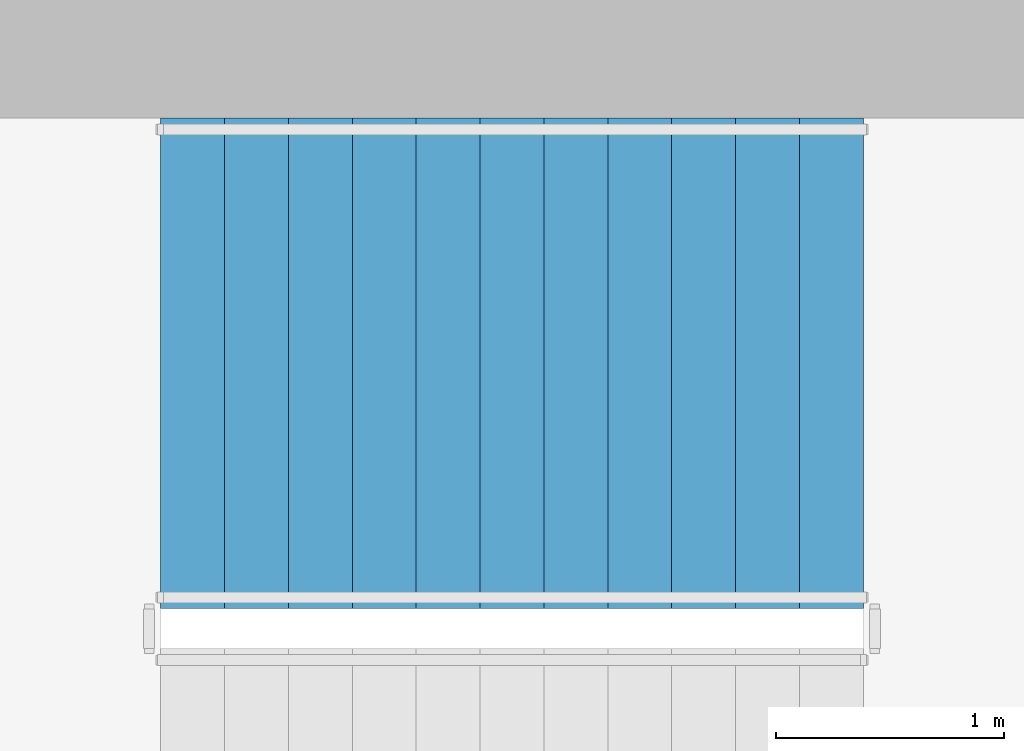
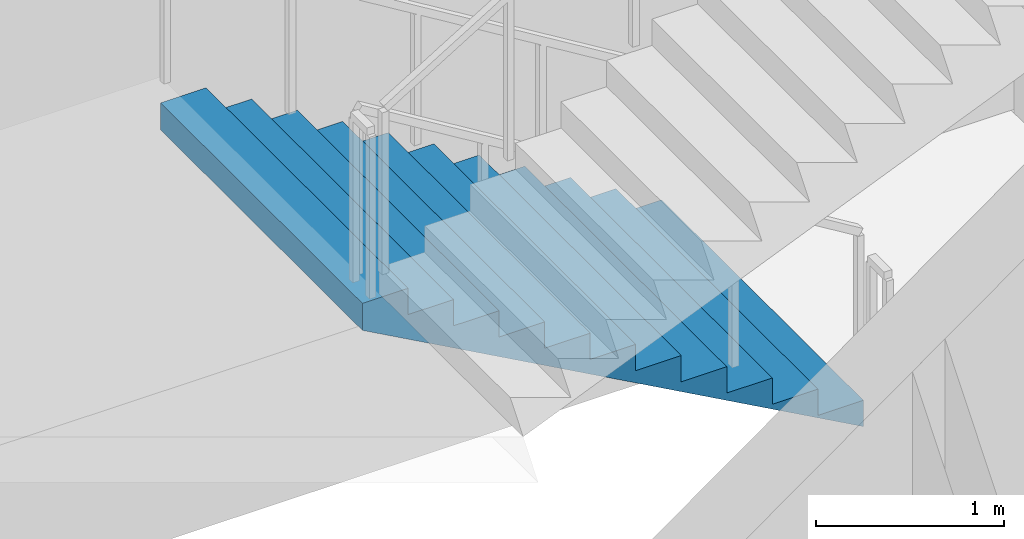
# One storey, part 11 of 16: 1 stair flight, 1 element without a shape of its own.
"""IFC4 building model written with IfcOpenShell, lengths in metres."""

import ifcopenshell
import ifcopenshell.guid

model = None  # the IFC model being written
_history = None  # IfcOwnerHistory: only IFC2X3 demands one
_inside = {}  # id of a spatial element -> (the spatial element, [elements in it])
_under = {}  # id of a project, library or spatial element -> (it, [spatial elements below it])
_declared = {}  # id of a project -> (the project, [libraries it declares])
_typed = {}  # id of a type object -> (the type object, [elements of that type])
_made_of = {}  # id of a material, layer set ... -> (it, [elements and type objects made of it])


def new_model(schema):
    """Start an empty IFC model of exactly this schema.

    Asked for "IFC4X3", IfcOpenShell would pick the latest addendum, in which some entities
    have other attributes; the version numbers below select the first issue.
    IFC2X3 requires an IfcOwnerHistory on every rooted entity: one is made here for all.
    """
    global model, _history
    if schema == "IFC4X3":
        model = ifcopenshell.file(schema_version=(4, 3, 0, 0))
    else:
        model = ifcopenshell.file(schema=schema)
    _inside.clear()
    _under.clear()
    _declared.clear()
    _typed.clear()
    _made_of.clear()
    _history = None
    if model.schema == "IFC2X3":
        org = make("IfcOrganization", Name="unknown")
        user = make(
            "IfcPersonAndOrganization",
            ThePerson=make("IfcPerson", FamilyName="unknown"),
            TheOrganization=org,
        )
        app = make(
            "IfcApplication",
            ApplicationDeveloper=org,
            Version="unknown",
            ApplicationFullName="unknown",
            ApplicationIdentifier="unknown",
        )
        _history = make(
            "IfcOwnerHistory",
            OwningUser=user,
            OwningApplication=app,
            ChangeAction="ADDED",
            CreationDate=0,
        )
    return model


def make(cls, **values):
    """One entity of the class cls with the attributes given. An attribute that is None is left unset."""
    return model.create_entity(
        cls, **{name: value for name, value in values.items() if value is not None}
    )


def rooted(cls, **values):
    """An entity with a GlobalId (a new one), such as an element, a storey or a relation."""
    return make(cls, GlobalId=ifcopenshell.guid.new(), OwnerHistory=_history, **values)


def si_unit(unit_type, name, prefix=None):
    """IfcSIUnit, for example si_unit("LENGTHUNIT", "METRE", prefix="MILLI")."""
    return make("IfcSIUnit", UnitType=unit_type, Prefix=prefix, Name=name)


def assignment(units):
    """IfcUnitAssignment: the units of a project."""
    return None if units is None else make("IfcUnitAssignment", Units=units)


def point(xyz):
    """IfcCartesianPoint."""
    return None if xyz is None else make("IfcCartesianPoint", Coordinates=xyz)


def direction(xyz):
    """IfcDirection."""
    return None if xyz is None else make("IfcDirection", DirectionRatios=xyz)


def frame(location, z_axis=None, x_axis=None):
    """IfcAxis2Placement3D, a coordinate frame: its origin and axes. An axis left out is left unset."""
    return make(
        "IfcAxis2Placement3D",
        Location=point(location),
        Axis=direction(z_axis),
        RefDirection=direction(x_axis),
    )


def origin():
    """The frame at (0, 0, 0) with its axes left unset."""
    return frame((0.0, 0.0, 0.0))


def place(relative_to, where):
    """IfcLocalPlacement: puts the frame where relative to a parent placement (None: the world)."""
    return make(
        "IfcLocalPlacement", PlacementRelTo=relative_to, RelativePlacement=where
    )


def context(
    kind, dimensions, precision=None, world=None, true_north=None, identifier=None
):
    """IfcGeometricRepresentationContext, for example the 3D "Model" context."""
    return make(
        "IfcGeometricRepresentationContext",
        ContextIdentifier=identifier,
        ContextType=kind,
        CoordinateSpaceDimension=dimensions,
        Precision=precision,
        WorldCoordinateSystem=world,
        TrueNorth=true_north,
    )


def subcontext(parent, identifier, kind, view, scale=None):
    """IfcGeometricRepresentationSubContext, for example "Body" below "Model"."""
    return make(
        "IfcGeometricRepresentationSubContext",
        ContextIdentifier=identifier,
        ContextType=kind,
        ParentContext=parent,
        TargetScale=scale,
        TargetView=view,
    )


def project(units=None, contexts=None):
    """IfcProject with its units and contexts."""
    return rooted(
        "IfcProject",
        Name="project",
        RepresentationContexts=contexts,
        UnitsInContext=assignment(units),
    )


def spatial(cls, under=None, at=None, **own):
    """A site, building, storey or space (cls), placed at a placement, below another one or the project."""
    s = rooted(cls, ObjectPlacement=at, **own)
    if under is not None:
        _under.setdefault(under.id(), (under, []))[1].append(s)
    return s


def point_list(points):
    """IfcCartesianPointList2D or 3D."""
    cls = (
        "IfcCartesianPointList2D" if len(points[0]) == 2 else "IfcCartesianPointList3D"
    )
    return make(cls, CoordList=points)


def triangles(points, corners, closed=None, point_numbers=None):
    """IfcTriangulatedFaceSet: each triangle names its three corners, points numbered from 1."""
    return make(
        "IfcTriangulatedFaceSet",
        Coordinates=point_list(points),
        Closed=closed,
        CoordIndex=corners,
        PnIndex=point_numbers,
    )


def shape(context_of_items, identifier, shape_type, items):
    """IfcShapeRepresentation: the items that make up one representation, for example the "Body"."""
    return make(
        "IfcShapeRepresentation",
        ContextOfItems=context_of_items,
        RepresentationIdentifier=identifier,
        RepresentationType=shape_type,
        Items=items,
    )


def material(Name=None, Category=None):
    """IfcMaterial."""
    return make("IfcMaterial", Name=Name, Category=Category)


def made_of(thing, what):
    """Note that an element or type object is made of a material, layer set ...; save() writes the relation."""
    if what is not None:
        _made_of.setdefault(what.id(), (what, []))[1].append(thing)
    return thing


def type_object(cls, material=None, **own):
    """A type object (cls), such as IfcWallType, which elements share."""
    return made_of(rooted(cls, **own), material)


def element(
    cls,
    number,
    at=None,
    inside=None,
    cuts=None,
    type_object=None,
    material=None,
    context=None,
    identifier="Body",
    shape_type=None,
    held_by="IfcProductDefinitionShape",
    body=None,
    shapes=None,
    **own,
):
    """One element of the class cls, such as IfcWall. Its Tag is "e" and its number.

    at: its placement. inside: the storey or other place that contains it. cuts: it is an
    opening in that element (IfcRelVoidsElement). A single representation is given by context,
    identifier, shape_type and body (its items); several are given by shapes. held_by: the class
    of the entity that holds the representations. save() writes the other relations.
    """
    e = rooted(cls, Tag="e%d" % number, ObjectPlacement=at, **own)
    if body is not None:
        shapes = [shape(context, identifier, shape_type, body)]
    if shapes is not None:
        e.Representation = make(held_by, Representations=shapes)
    if inside is not None:
        _inside.setdefault(inside.id(), (inside, []))[1].append(e)
    if cuts is not None:
        rooted(
            "IfcRelVoidsElement", RelatingBuildingElement=cuts, RelatedOpeningElement=e
        )
    if type_object is not None:
        _typed.setdefault(type_object.id(), (type_object, []))[1].append(e)
    return made_of(e, material)


def aggregate(whole, parts):
    """IfcRelAggregates: a whole, such as a stair, and the parts it consists of."""
    return rooted("IfcRelAggregates", RelatingObject=whole, RelatedObjects=parts)


def save(model, path):
    """Write the relations noted so far, then the file.

    IfcRelAggregates (storeys below a building ...), IfcRelContainedInSpatialStructure (elements
    in a storey), IfcRelDefinesByType, IfcRelAssociatesMaterial and IfcRelDeclares: one each for
    every whole, place, type object, material and project.
    """
    for whole, parts in _under.values():
        aggregate(whole, parts)
    for where, things in _inside.values():
        rooted(
            "IfcRelContainedInSpatialStructure",
            RelatedElements=things,
            RelatingStructure=where,
        )
    for kind, things in _typed.values():
        rooted("IfcRelDefinesByType", RelatedObjects=things, RelatingType=kind)
    for what, things in _made_of.values():
        rooted("IfcRelAssociatesMaterial", RelatedObjects=things, RelatingMaterial=what)
    for by, libraries in _declared.values():
        rooted("IfcRelDeclares", RelatingContext=by, RelatedDefinitions=libraries)
    model.write(path)


model = new_model("IFC4")

# Units and contexts
model_context = context("Model", 3, precision=1e-05, world=origin(), true_north=direction((0.0, 1.0)))
body_context = subcontext(model_context, "Body", "Model", "MODEL_VIEW")
ifc_project = project(units=[si_unit("LENGTHUNIT", "METRE"), si_unit("AREAUNIT", "SQUARE_METRE"), si_unit("VOLUMEUNIT", "CUBIC_METRE"), si_unit("PLANEANGLEUNIT", "RADIAN"), si_unit("MASSUNIT", "GRAM", prefix="KILO")], contexts=[model_context])

# Site, building, storey
site_placement = place(None, origin())
site = spatial("IfcSite", under=ifc_project, at=site_placement, CompositionType="ELEMENT")
building_placement = place(site_placement, origin())
building = spatial("IfcBuilding", under=site, at=building_placement, Name="Cypress Arch Tower", CompositionType="ELEMENT")
storey_placement = place(building_placement, frame((0.0, 0.0, 197.39990234375)))
storey = spatial("IfcBuildingStorey", under=building, at=storey_placement, Name="L43", CompositionType="ELEMENT", Elevation=197.39990234375)

# Stair, stair flight
ifc_material_1 = material(Name="Concrete C40/50", Category="concrete")
stair_type = type_object("IfcStairType", Name="Exit stair ES1708-215", PredefinedType="HALF_TURN_STAIR", material=ifc_material_1)
stair_placement = place(storey_placement, origin())
stair = element("IfcStair", 1, at=stair_placement, inside=storey, type_object=stair_type, Name="L43 Exit stair B", PredefinedType="HALF_TURN_STAIR")
ifc_material_2 = material(Name="Concrete C40/50", Category="concrete")
stair_flight_type = type_object("IfcStairFlightType", Name="Exit stair flight ES1708-215", PredefinedType="STRAIGHT", material=ifc_material_2)
stair_flight_placement = place(storey_placement, frame((-22.27490234375, 13.72509765625, 0.0), z_axis=(0.0, 0.0, 1.0), x_axis=(-1.0, 0.0, 0.0)))
stair_flight = element("IfcStairFlight", 2, at=stair_flight_placement, type_object=stair_flight_type, Name="B flight 1", NumberOfRisers=12, NumberOfTreads=11, PredefinedType="STRAIGHT", RiserHeight=0.170833333, TreadLength=0.28, context=body_context, shape_type="Tessellation", body=[
    triangles([(0.0, -1.074951171875, 0.0), (0.000244140625, -1.074951171875, 0.01904296875), (0.000244140625, -1.074951171875, 0.0380859375), (0.00048828125, -1.074951171875, 0.056884765625), (0.00048828125, -1.074951171875, 0.075927734375), (0.00048828125, -1.074951171875, 0.094970703125), (0.00048828125, -1.074951171875, 0.114013671875), (0.000244140625, -1.074951171875, 0.1328125), (0.000244140625, -1.074951171875, 0.15185546875), (0.0, -1.074951171875, 0.1708984375), (0.280029296875, -1.074951171875, 0.1708984375), (0.280029296875, -1.074951171875, 0.341552734375), (0.56005859375, -1.074951171875, 0.341552734375), (0.56005859375, -1.074951171875, 0.512451171875), (0.840087890625, -1.074951171875, 0.512451171875), (0.840087890625, -1.074951171875, 0.683349609375), (1.1201171875, -1.074951171875, 0.683349609375), (1.1201171875, -1.074951171875, 0.854248046875), (1.39990234375, -1.074951171875, 0.854248046875), (1.39990234375, -1.074951171875, 1.02490234375), (1.679931640625, -1.074951171875, 1.02490234375), (1.679931640625, -1.074951171875, 1.19580078125), (1.9599609375, -1.074951171875, 1.19580078125), (1.9599609375, -1.074951171875, 1.36669921875), (2.239990234375, -1.074951171875, 1.36669921875), (2.239990234375, -1.074951171875, 1.53759765625), (2.52001953125, -1.074951171875, 1.53759765625), (2.52001953125, -1.074951171875, 1.708251953125), (2.800048828125, -1.074951171875, 1.708251953125), (2.800048828125, -1.074951171875, 1.879150390625), (3.080078125, -1.074951171875, 1.879150390625), (3.079833984375, -1.074951171875, 1.859619140625), (3.079833984375, -1.074951171875, 1.840087890625), (3.07958984375, -1.074951171875, 1.820556640625), (3.07958984375, -1.074951171875, 1.801025390625), (3.07958984375, -1.074951171875, 1.78173828125), (3.07958984375, -1.074951171875, 1.76220703125), (3.079833984375, -1.074951171875, 1.74267578125), (3.079833984375, -1.074951171875, 1.72314453125), (3.080078125, -1.074951171875, 1.70361328125), (3.080078125, 1.074951171875, 1.70361328125), (3.079833984375, 1.074951171875, 1.72314453125), (3.079833984375, 1.074951171875, 1.74267578125), (3.07958984375, 1.074951171875, 1.76220703125), (3.07958984375, 1.074951171875, 1.78173828125), (3.07958984375, 1.074951171875, 1.801025390625), (3.07958984375, 1.074951171875, 1.820556640625), (3.079833984375, 1.074951171875, 1.840087890625), (3.079833984375, 1.074951171875, 1.859619140625), (3.080078125, 1.074951171875, 1.879150390625), (2.800048828125, 1.074951171875, 1.879150390625), (2.800048828125, 1.074951171875, 1.708251953125), (2.52001953125, 1.074951171875, 1.708251953125), (2.52001953125, 1.074951171875, 1.53759765625), (2.239990234375, 1.074951171875, 1.53759765625), (2.239990234375, 1.074951171875, 1.36669921875), (1.9599609375, 1.074951171875, 1.36669921875), (1.9599609375, 1.074951171875, 1.19580078125), (1.679931640625, 1.074951171875, 1.19580078125), (1.679931640625, 1.074951171875, 1.02490234375), (1.39990234375, 1.074951171875, 1.02490234375), (1.39990234375, 1.074951171875, 0.854248046875), (1.1201171875, 1.074951171875, 0.854248046875), (1.1201171875, 1.074951171875, 0.683349609375), (0.840087890625, 1.074951171875, 0.683349609375), (0.840087890625, 1.074951171875, 0.512451171875), (0.56005859375, 1.074951171875, 0.512451171875), (0.56005859375, 1.074951171875, 0.341552734375), (0.280029296875, 1.074951171875, 0.341552734375), (0.280029296875, 1.074951171875, 0.1708984375), (0.0, 1.074951171875, 0.1708984375), (0.000244140625, 1.074951171875, 0.15185546875), (0.000244140625, 1.074951171875, 0.1328125), (0.00048828125, 1.074951171875, 0.114013671875), (0.00048828125, 1.074951171875, 0.094970703125), (0.00048828125, 1.074951171875, 0.075927734375), (0.00048828125, 1.074951171875, 0.056884765625), (0.000244140625, 1.074951171875, 0.0380859375), (0.000244140625, 1.074951171875, 0.01904296875), (0.0, 1.074951171875, 0.0)], [[40, 39, 30], [39, 38, 30], [38, 37, 30], [37, 36, 30], [36, 35, 30], [35, 34, 30], [34, 33, 30], [33, 32, 30], [32, 31, 30], [19, 18, 17], [27, 26, 25], [25, 24, 23], [23, 22, 21], [17, 16, 15], [15, 14, 13], [10, 9, 11], [9, 8, 11], [8, 7, 11], [7, 6, 11], [6, 5, 11], [5, 4, 11], [4, 3, 11], [3, 2, 11], [2, 1, 11], [29, 28, 27], [21, 20, 19], [13, 12, 11], [40, 30, 29], [40, 29, 27], [40, 27, 25], [40, 25, 23], [40, 23, 21], [40, 21, 19], [40, 19, 17], [40, 17, 15], [40, 15, 13], [1, 40, 13], [13, 11, 1], [41, 51, 42], [42, 51, 43], [43, 51, 44], [44, 51, 45], [45, 51, 46], [46, 51, 47], [47, 51, 48], [48, 51, 49], [49, 51, 50], [62, 64, 63], [54, 56, 55], [56, 58, 57], [58, 60, 59], [64, 66, 65], [66, 68, 67], [71, 70, 72], [72, 70, 73], [73, 70, 74], [74, 70, 75], [75, 70, 76], [76, 70, 77], [77, 70, 78], [78, 70, 79], [79, 70, 80], [52, 54, 53], [60, 62, 61], [68, 70, 69], [41, 52, 51], [41, 54, 52], [41, 56, 54], [41, 58, 56], [41, 60, 58], [41, 62, 60], [41, 64, 62], [41, 66, 64], [41, 68, 66], [80, 68, 41], [68, 80, 70], [41, 42, 39], [41, 39, 40], [42, 43, 38], [42, 38, 39], [43, 44, 37], [43, 37, 38], [44, 45, 36], [44, 36, 37], [45, 46, 35], [45, 35, 36], [46, 47, 34], [46, 34, 35], [47, 48, 33], [47, 33, 34], [48, 49, 32], [48, 32, 33], [49, 50, 31], [49, 31, 32], [50, 51, 30], [50, 30, 31], [51, 52, 29], [51, 29, 30], [52, 53, 28], [52, 28, 29], [53, 54, 27], [53, 27, 28], [54, 55, 26], [54, 26, 27], [55, 56, 25], [55, 25, 26], [56, 57, 24], [56, 24, 25], [57, 58, 23], [57, 23, 24], [58, 59, 22], [58, 22, 23], [59, 60, 21], [59, 21, 22], [60, 61, 20], [60, 20, 21], [61, 62, 19], [61, 19, 20], [62, 63, 18], [62, 18, 19], [63, 64, 17], [63, 17, 18], [64, 65, 16], [64, 16, 17], [65, 66, 15], [65, 15, 16], [66, 67, 14], [66, 14, 15], [67, 68, 13], [67, 13, 14], [68, 69, 12], [68, 12, 13], [69, 70, 11], [69, 11, 12], [70, 71, 10], [70, 10, 11], [71, 72, 9], [71, 9, 10], [72, 73, 8], [72, 8, 9], [73, 74, 7], [73, 7, 8], [74, 75, 6], [74, 6, 7], [75, 76, 5], [75, 5, 6], [76, 77, 4], [76, 4, 5], [77, 78, 3], [77, 3, 4], [78, 79, 2], [78, 2, 3], [79, 80, 1], [79, 1, 2], [80, 41, 40], [80, 40, 1]], closed=True),
])
aggregate(stair, [stair_flight])

save(model, "model.ifc")
